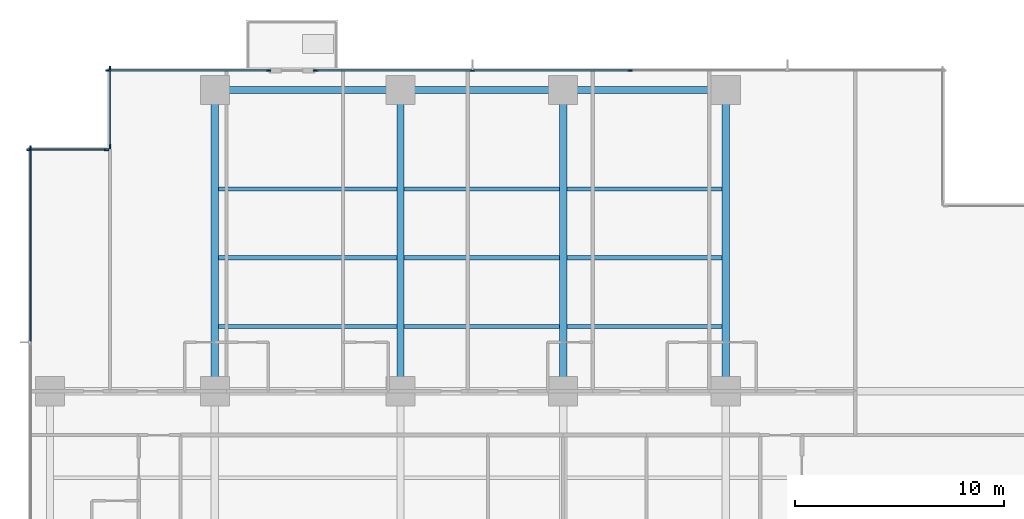
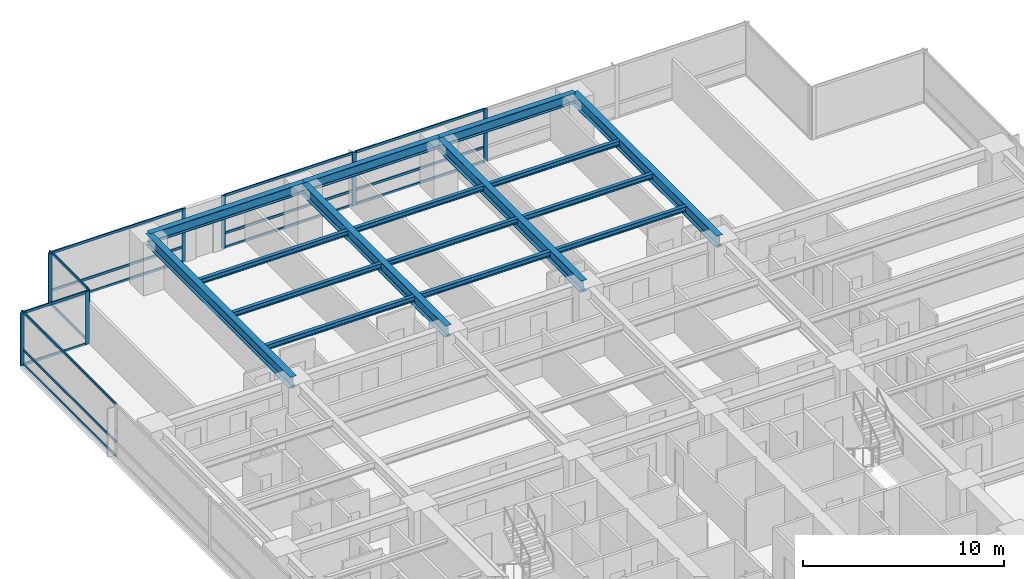
# One storey, part 4 of 16: 26 members, 16 beams, 5 elements without a shape of their own.
"""IFC4 building model written with IfcOpenShell, lengths in metres."""

from ifc_helpers import new_model, si_unit, direction, frame, origin, origin_2d, place, context, subcontext, project, spatial, rectangle, i_section, extrude, material, layer, layer_set, material_profile, profile_set, type_object, element, aggregate, save


model = new_model("IFC4")

# Units and contexts
model_context = context("Model", 3, precision=1e-05, world=origin(), true_north=direction((0.0, 1.0)))
body_context = subcontext(model_context, "Body", "Model", "MODEL_VIEW")
ifc_project = project(units=[si_unit("LENGTHUNIT", "METRE"), si_unit("AREAUNIT", "SQUARE_METRE"), si_unit("VOLUMEUNIT", "CUBIC_METRE"), si_unit("PLANEANGLEUNIT", "RADIAN"), si_unit("MASSUNIT", "GRAM", prefix="KILO")], contexts=[model_context])

# Site, building, storey
site_placement = place(None, origin())
site = spatial("IfcSite", under=ifc_project, at=site_placement, CompositionType="ELEMENT")
building_placement = place(site_placement, origin())
building = spatial("IfcBuilding", under=site, at=building_placement, Name="Qalmaran Belvedere Hotel", CompositionType="ELEMENT")
storey_placement = place(building_placement, frame((0.0, 0.0, 57.89990234375)))
storey = spatial("IfcBuildingStorey", under=building, at=storey_placement, Name="L14", CompositionType="ELEMENT", Elevation=57.89990234375)

# Beams
ifc_material_1 = material(Name="Steel S355JR", Category="steel")
ifc_material_profile_1 = material_profile(ifc_material_1, i_section(OverallWidth=0.202880859375, OverallDepth=0.302978515625, WebThickness=0.007568359375, FlangeThickness=0.01318359375, FilletRadius=0.012939453125, at=origin_2d()), Name="W310X60")
ifc_profile_set_1 = profile_set([ifc_material_profile_1], Name="Steel S355JR")
beam_type_1 = type_object("IfcBeamType", Name="BM-JST-W310X60", PredefinedType="JOIST", material=ifc_profile_set_1)
beam_1_placement = place(storey_placement, frame((20.4755859375, 36.10009765625, 3.068603515625), z_axis=(1.0, 0.0, 0.0), x_axis=(0.0, 1.0, 0.0)))
element("IfcBeam", 1, at=beam_1_placement, inside=storey, type_object=beam_type_1, Name="L14 North Floor Joist 042", PredefinedType="JOIST", context=body_context, shape_type="SweptSolid", body=[
    extrude(i_section(OverallWidth=0.202880859375, OverallDepth=0.302978515625, WebThickness=0.007568359375, FlangeThickness=0.01318359375, FilletRadius=0.012939453125, at=origin_2d()), origin(), (0.0, 0.0, 1.0), 8.548828125),
])
for number, where, z_axis, x_axis, name in (
    (2, (29.37548828125, 36.10009765625, 3.068603515625), (1.0, 0.0, 0.0), (0.0, 1.0, 0.0), "L14 North Floor Joist 043"),
    (3, (37.175537109375, 36.10009765625, 3.068603515625), (1.0, 0.0, 0.0), (0.0, 1.0, 0.0), "L14 North Floor Joist 044"),
):
    element("IfcBeam", number, at=place(storey_placement, frame(where, z_axis=z_axis, x_axis=x_axis)), inside=storey, type_object=beam_type_1, Name=name, PredefinedType="JOIST", context=body_context, shape_type="SweptSolid", body=[
        extrude(i_section(OverallWidth=0.202880859375, OverallDepth=0.302978515625, WebThickness=0.007568359375, FlangeThickness=0.01318359375, FilletRadius=0.012939453125, at=origin_2d()), origin(), (0.0, 0.0, 1.0), 7.448974609375),
    ])
beam_2_placement = place(storey_placement, frame((20.4755859375, 39.39990234375, 3.068603515625), z_axis=(1.0, 0.0, 0.0), x_axis=(0.0, 1.0, 0.0)))
element("IfcBeam", 4, at=beam_2_placement, inside=storey, type_object=beam_type_1, Name="L14 North Floor Joist 045", PredefinedType="JOIST", context=body_context, shape_type="SweptSolid", body=[
    extrude(i_section(OverallWidth=0.202880859375, OverallDepth=0.302978515625, WebThickness=0.007568359375, FlangeThickness=0.01318359375, FilletRadius=0.012939453125, at=origin_2d()), origin(), (0.0, 0.0, 1.0), 8.548828125),
])
for number, where, z_axis, x_axis, name in (
    (5, (29.37548828125, 39.39990234375, 3.068603515625), (1.0, 0.0, 0.0), (0.0, 1.0, 0.0), "L14 North Floor Joist 046"),
    (6, (37.175537109375, 39.39990234375, 3.068603515625), (1.0, 0.0, 0.0), (0.0, 1.0, 0.0), "L14 North Floor Joist 047"),
):
    element("IfcBeam", number, at=place(storey_placement, frame(where, z_axis=z_axis, x_axis=x_axis)), inside=storey, type_object=beam_type_1, Name=name, PredefinedType="JOIST", context=body_context, shape_type="SweptSolid", body=[
        extrude(i_section(OverallWidth=0.202880859375, OverallDepth=0.302978515625, WebThickness=0.007568359375, FlangeThickness=0.01318359375, FilletRadius=0.012939453125, at=origin_2d()), origin(), (0.0, 0.0, 1.0), 7.448974609375),
    ])
beam_3_placement = place(storey_placement, frame((20.4755859375, 42.699951171875, 3.068603515625), z_axis=(1.0, 0.0, 0.0), x_axis=(0.0, 1.0, 0.0)))
element("IfcBeam", 7, at=beam_3_placement, inside=storey, type_object=beam_type_1, Name="L14 North Floor Joist 048", PredefinedType="JOIST", context=body_context, shape_type="SweptSolid", body=[
    extrude(i_section(OverallWidth=0.202880859375, OverallDepth=0.302978515625, WebThickness=0.007568359375, FlangeThickness=0.01318359375, FilletRadius=0.012939453125, at=origin_2d()), origin(), (0.0, 0.0, 1.0), 8.548828125),
])
for number, where, z_axis, x_axis, name in (
    (8, (29.37548828125, 42.699951171875, 3.068603515625), (1.0, 0.0, 0.0), (0.0, 1.0, 0.0), "L14 North Floor Joist 049"),
    (9, (37.175537109375, 42.699951171875, 3.068603515625), (1.0, 0.0, 0.0), (0.0, 1.0, 0.0), "L14 North Floor Joist 050"),
):
    element("IfcBeam", number, at=place(storey_placement, frame(where, z_axis=z_axis, x_axis=x_axis)), inside=storey, type_object=beam_type_1, Name=name, PredefinedType="JOIST", context=body_context, shape_type="SweptSolid", body=[
        extrude(i_section(OverallWidth=0.202880859375, OverallDepth=0.302978515625, WebThickness=0.007568359375, FlangeThickness=0.01318359375, FilletRadius=0.012939453125, at=origin_2d()), origin(), (0.0, 0.0, 1.0), 7.448974609375),
    ])
ifc_material_profile_2 = material_profile(ifc_material_1, i_section(OverallWidth=0.326904296875, OverallDepth=0.6220703125, WebThickness=0.015380859375, FlangeThickness=0.0244140625, FilletRadius=0.02001953125, at=origin_2d()), Name="W610X195")
ifc_profile_set_2 = profile_set([ifc_material_profile_2], Name="Steel S355JR")
beam_type_2 = type_object("IfcBeamType", Name="BM-SP1-W610X195", PredefinedType="SPANDREL", material=ifc_profile_set_2)
beam_4_placement = place(storey_placement, frame((20.300048828125, 47.449951171875, 2.9091796875), z_axis=(1.0, 0.0, 0.0), x_axis=(0.0, 1.0, 0.0)))
element("IfcBeam", 10, at=beam_4_placement, inside=storey, type_object=beam_type_2, Name="L14 Perimeter Spandrel 05", PredefinedType="SPANDREL", context=body_context, shape_type="SweptSolid", body=[
    extrude(i_section(OverallWidth=0.326904296875, OverallDepth=0.6220703125, WebThickness=0.015380859375, FlangeThickness=0.0244140625, FilletRadius=0.02001953125, at=origin_2d()), origin(), (0.0, 0.0, 1.0), 8.89990234375),
])
for number, where, z_axis, x_axis, name in (
    (11, (29.199951171875, 47.449951171875, 2.9091796875), (1.0, 0.0, 0.0), (0.0, 1.0, 0.0), "L14 Perimeter Spandrel 06"),
    (12, (37.0, 47.449951171875, 2.9091796875), (1.0, 0.0, 0.0), (0.0, 1.0, 0.0), "L14 Perimeter Spandrel 07"),
):
    element("IfcBeam", number, at=place(storey_placement, frame(where, z_axis=z_axis, x_axis=x_axis)), inside=storey, type_object=beam_type_2, Name=name, PredefinedType="SPANDREL", context=body_context, shape_type="SweptSolid", body=[
        extrude(i_section(OverallWidth=0.326904296875, OverallDepth=0.6220703125, WebThickness=0.015380859375, FlangeThickness=0.0244140625, FilletRadius=0.02001953125, at=origin_2d()), origin(), (0.0, 0.0, 1.0), 7.800048828125),
    ])
ifc_material_profile_3 = material_profile(ifc_material_1, i_section(OverallWidth=0.35498046875, OverallDepth=0.695068359375, WebThickness=0.015380859375, FlangeThickness=0.02490234375, FilletRadius=0.02197265625, at=origin_2d()), Name="W690X217")
ifc_profile_set_3 = profile_set([ifc_material_profile_3], Name="Steel S355JR")
beam_type_3 = type_object("IfcBeamType", Name="BM-Z1-W690X217", PredefinedType="USERDEFINED", material=ifc_profile_set_3)
for number, where, z_axis, x_axis, name in (
    (13, (20.300048828125, 33.0, 2.87255859375), (0.0, 1.0, 0.0), (-1.0, 0.0, 0.0), "L14 North Bay Girder 15"),
    (14, (29.199951171875, 33.0, 2.87255859375), (0.0, 1.0, 0.0), (-1.0, 0.0, 0.0), "L14 North Bay Girder 17"),
    (15, (37.0, 33.0, 2.87255859375), (0.0, 1.0, 0.0), (-1.0, 0.0, 0.0), "L14 North Bay Girder 19"),
    (16, (44.800048828125, 33.0, 2.87255859375), (0.0, 1.0, 0.0), (-1.0, 0.0, 0.0), "L14 North Bay Girder 21"),
):
    element("IfcBeam", number, at=place(storey_placement, frame(where, z_axis=z_axis, x_axis=x_axis)), inside=storey, type_object=beam_type_3, Name=name, ObjectType="GIRDER", PredefinedType="USERDEFINED", context=body_context, shape_type="SweptSolid", body=[
        extrude(i_section(OverallWidth=0.35498046875, OverallDepth=0.695068359375, WebThickness=0.015380859375, FlangeThickness=0.02490234375, FilletRadius=0.02197265625, at=origin_2d()), origin(), (0.0, 0.0, 1.0), 14.449951171875),
    ])

# Curtain wall, members
ifc_material_2 = material(Name="Anodised Bronze Aluminium", Category="aluminium")
ifc_layer = layer(ifc_material_2, 0.2099609375, Name="Anodised Bronze Aluminium")
ifc_layer_set = layer_set([ifc_layer], Name="Anodised Bronze Aluminium")
curtain_wall_type = type_object("IfcCurtainWallType", Name="CW2-TOWER-LOWER", PredefinedType="NOTDEFINED", material=ifc_layer_set)
curtain_wall_1_placement = place(storey_placement, origin())
curtain_wall_1 = element("IfcCurtainWall", 17, at=curtain_wall_1_placement, inside=storey, type_object=curtain_wall_type, Name="L14 Curtain Wall CW2", PredefinedType="NOTDEFINED")
ifc_material_profile_4 = material_profile(ifc_material_2, rectangle(XDim=0.074951171875, YDim=0.219970703125, at=origin_2d()), Name="CWM75X220")
ifc_profile_set_4 = profile_set([ifc_material_profile_4], Name="Anodised Bronze Aluminium")
member_type_1 = type_object("IfcMemberType", Name="CWM-75X220", PredefinedType="MULLION", material=ifc_profile_set_4)
member_1_placement = place(storey_placement, frame((22.862548828125, 48.3798828125, 0.0), z_axis=(0.0, 0.0, 1.0), x_axis=(0.0, -1.0, 0.0)))
member_1 = element("IfcMember", 18, at=member_1_placement, type_object=member_type_1, Name="CW2 mullion 1", PredefinedType="MULLION", context=body_context, shape_type="SweptSolid", body=[
    extrude(rectangle(XDim=0.074951171875, YDim=0.219970703125, at=origin_2d()), origin(), (0.0, 0.0, 1.0), 3.22021484375),
])
member_2_placement = place(storey_placement, frame((15.1875, 48.3798828125, 0.0), z_axis=(0.0, 0.0, 1.0), x_axis=(0.0, -1.0, 0.0)))
member_2 = element("IfcMember", 19, at=member_2_placement, type_object=member_type_1, Name="CW2 mullion 2", PredefinedType="MULLION", context=body_context, shape_type="SweptSolid", body=[
    extrude(rectangle(XDim=0.074951171875, YDim=0.219970703125, at=origin_2d()), origin(), (0.0, 0.0, 1.0), 3.22021484375),
])

curtain_wall_2_placement = place(storey_placement, origin())
curtain_wall_2 = element("IfcCurtainWall", 20, at=curtain_wall_2_placement, inside=storey, type_object=curtain_wall_type, Name="L14 Curtain Wall CW2", PredefinedType="NOTDEFINED")
member_3_placement = place(storey_placement, frame((40.199951171875, 48.3798828125, 0.0), z_axis=(0.0, 0.0, 1.0), x_axis=(0.0, -1.0, 0.0)))
member_3 = element("IfcMember", 21, at=member_3_placement, type_object=member_type_1, Name="CW2 mullion 3", PredefinedType="MULLION", context=body_context, shape_type="SweptSolid", body=[
    extrude(rectangle(XDim=0.074951171875, YDim=0.219970703125, at=origin_2d()), origin(), (0.0, 0.0, 1.0), 3.22021484375),
])
member_4_placement = place(storey_placement, frame((32.64990234375, 48.3798828125, 0.0), z_axis=(0.0, 0.0, 1.0), x_axis=(0.0, -1.0, 0.0)))
member_4 = element("IfcMember", 22, at=member_4_placement, type_object=member_type_1, Name="CW2 mullion 4", PredefinedType="MULLION", context=body_context, shape_type="SweptSolid", body=[
    extrude(rectangle(XDim=0.074951171875, YDim=0.219970703125, at=origin_2d()), origin(), (0.0, 0.0, 1.0), 3.22021484375),
])
member_5_placement = place(storey_placement, frame((25.137451171875, 48.3798828125, 0.0), z_axis=(0.0, 0.0, 1.0), x_axis=(0.0, -1.0, 0.0)))
member_5 = element("IfcMember", 23, at=member_5_placement, type_object=member_type_1, Name="CW2 mullion 5", PredefinedType="MULLION", context=body_context, shape_type="SweptSolid", body=[
    extrude(rectangle(XDim=0.074951171875, YDim=0.219970703125, at=origin_2d()), origin(), (0.0, 0.0, 1.0), 3.22021484375),
])

curtain_wall_3_placement = place(storey_placement, origin())
curtain_wall_3 = element("IfcCurtainWall", 24, at=curtain_wall_3_placement, inside=storey, type_object=curtain_wall_type, Name="L14 Curtain Wall CW2", PredefinedType="NOTDEFINED")
member_6_placement = place(storey_placement, frame((15.27001953125, 48.46240234375, 0.0), z_axis=(0.0, 0.0, 1.0), x_axis=(1.0, 0.0, 0.0)))
member_6 = element("IfcMember", 25, at=member_6_placement, type_object=member_type_1, Name="CW2 mullion 1", PredefinedType="MULLION", context=body_context, shape_type="SweptSolid", body=[
    extrude(rectangle(XDim=0.074951171875, YDim=0.219970703125, at=origin_2d()), origin(), (0.0, 0.0, 1.0), 3.22021484375),
])
member_7_placement = place(storey_placement, frame((15.27001953125, 44.737548828125, 0.0), z_axis=(0.0, 0.0, 1.0), x_axis=(1.0, 0.0, 0.0)))
member_7 = element("IfcMember", 26, at=member_7_placement, type_object=member_type_1, Name="CW2 mullion 2", PredefinedType="MULLION", context=body_context, shape_type="SweptSolid", body=[
    extrude(rectangle(XDim=0.074951171875, YDim=0.219970703125, at=origin_2d()), origin(), (0.0, 0.0, 1.0), 3.22021484375),
])

curtain_wall_4_placement = place(storey_placement, origin())
curtain_wall_4 = element("IfcCurtainWall", 27, at=curtain_wall_4_placement, inside=storey, type_object=curtain_wall_type, Name="L14 Curtain Wall CW2", PredefinedType="NOTDEFINED")
member_8_placement = place(storey_placement, frame((15.112548828125, 44.580078125, 0.0), z_axis=(0.0, 0.0, 1.0), x_axis=(0.0, -1.0, 0.0)))
member_8 = element("IfcMember", 28, at=member_8_placement, type_object=member_type_1, Name="CW2 mullion 1", PredefinedType="MULLION", context=body_context, shape_type="SweptSolid", body=[
    extrude(rectangle(XDim=0.074951171875, YDim=0.219970703125, at=origin_2d()), origin(), (0.0, 0.0, 1.0), 3.22021484375),
])
member_9_placement = place(storey_placement, frame((11.387451171875, 44.580078125, 0.0), z_axis=(0.0, 0.0, 1.0), x_axis=(0.0, -1.0, 0.0)))
member_9 = element("IfcMember", 29, at=member_9_placement, type_object=member_type_1, Name="CW2 mullion 2", PredefinedType="MULLION", context=body_context, shape_type="SweptSolid", body=[
    extrude(rectangle(XDim=0.074951171875, YDim=0.219970703125, at=origin_2d()), origin(), (0.0, 0.0, 1.0), 3.22021484375),
])

# Curtain wall, member
curtain_wall_5_placement = place(storey_placement, origin())
curtain_wall_5 = element("IfcCurtainWall", 30, at=curtain_wall_5_placement, inside=storey, type_object=curtain_wall_type, Name="L14 Curtain Wall CW2", PredefinedType="NOTDEFINED")
member_10_placement = place(storey_placement, frame((11.469970703125, 44.66259765625, 0.0), z_axis=(0.0, 0.0, 1.0), x_axis=(1.0, 0.0, 0.0)))
member_10 = element("IfcMember", 31, at=member_10_placement, type_object=member_type_1, Name="CW2 mullion 1", PredefinedType="MULLION", context=body_context, shape_type="SweptSolid", body=[
    extrude(rectangle(XDim=0.074951171875, YDim=0.219970703125, at=origin_2d()), origin(), (0.0, 0.0, 1.0), 3.22021484375),
])

# Member
ifc_material_profile_5 = material_profile(ifc_material_2, rectangle(XDim=0.070068359375, YDim=0.14990234375, at=origin_2d()), Name="CWT70X150")
ifc_profile_set_5 = profile_set([ifc_material_profile_5], Name="Anodised Bronze Aluminium")
member_type_2 = type_object("IfcMemberType", Name="CWT-70X150", PredefinedType="USERDEFINED", material=ifc_profile_set_5)
member_11_placement = place(storey_placement, frame((22.824951171875, 48.3798828125, 0.03515625), z_axis=(-1.0, 0.0, 0.0), x_axis=(0.0, -1.0, 0.0)))
member_11 = element("IfcMember", 32, at=member_11_placement, type_object=member_type_2, Name="CW2 transom 1.1", ObjectType="TRANSOM", PredefinedType="USERDEFINED", context=body_context, shape_type="SweptSolid", body=[
    extrude(rectangle(XDim=0.070068359375, YDim=0.14990234375, at=origin_2d()), origin(), (0.0, 0.0, 1.0), 7.599853515625),
])

member_12_placement = place(storey_placement, frame((22.824951171875, 48.3798828125, 0.901611328125), z_axis=(-1.0, 0.0, 0.0), x_axis=(0.0, -1.0, 0.0)))
member_12 = element("IfcMember", 33, at=member_12_placement, type_object=member_type_2, Name="CW2 transom 1.2", ObjectType="TRANSOM", PredefinedType="USERDEFINED", context=body_context, shape_type="SweptSolid", body=[
    extrude(rectangle(XDim=0.070068359375, YDim=0.14990234375, at=origin_2d()), origin(), (0.0, 0.0, 1.0), 7.599853515625),
])

member_13_placement = place(storey_placement, frame((22.824951171875, 48.3798828125, 3.18505859375), z_axis=(-1.0, 0.0, 0.0), x_axis=(0.0, -1.0, 0.0)))
member_13 = element("IfcMember", 34, at=member_13_placement, type_object=member_type_2, Name="CW2 transom 1.3", ObjectType="TRANSOM", PredefinedType="USERDEFINED", context=body_context, shape_type="SweptSolid", body=[
    extrude(rectangle(XDim=0.070068359375, YDim=0.14990234375, at=origin_2d()), origin(), (0.0, 0.0, 1.0), 7.599853515625),
])

aggregate(curtain_wall_1, [member_1, member_2, member_11, member_12, member_13])

member_14_placement = place(storey_placement, frame((40.16259765625, 48.3798828125, 0.03515625), z_axis=(-1.0, 0.0, 0.0), x_axis=(0.0, -1.0, 0.0)))
member_14 = element("IfcMember", 35, at=member_14_placement, type_object=member_type_2, Name="CW2 transom 3.1", ObjectType="TRANSOM", PredefinedType="USERDEFINED", context=body_context, shape_type="SweptSolid", body=[
    extrude(rectangle(XDim=0.070068359375, YDim=0.14990234375, at=origin_2d()), origin(), (0.0, 0.0, 1.0), 7.47509765625),
])

member_15_placement = place(storey_placement, frame((40.16259765625, 48.3798828125, 0.901611328125), z_axis=(-1.0, 0.0, 0.0), x_axis=(0.0, -1.0, 0.0)))
member_15 = element("IfcMember", 36, at=member_15_placement, type_object=member_type_2, Name="CW2 transom 3.2", ObjectType="TRANSOM", PredefinedType="USERDEFINED", context=body_context, shape_type="SweptSolid", body=[
    extrude(rectangle(XDim=0.070068359375, YDim=0.14990234375, at=origin_2d()), origin(), (0.0, 0.0, 1.0), 7.47509765625),
])

member_16_placement = place(storey_placement, frame((40.16259765625, 48.3798828125, 3.18505859375), z_axis=(-1.0, 0.0, 0.0), x_axis=(0.0, -1.0, 0.0)))
member_16 = element("IfcMember", 37, at=member_16_placement, type_object=member_type_2, Name="CW2 transom 3.3", ObjectType="TRANSOM", PredefinedType="USERDEFINED", context=body_context, shape_type="SweptSolid", body=[
    extrude(rectangle(XDim=0.070068359375, YDim=0.14990234375, at=origin_2d()), origin(), (0.0, 0.0, 1.0), 7.47509765625),
])

member_17_placement = place(storey_placement, frame((32.612548828125, 48.3798828125, 0.03515625), z_axis=(-1.0, 0.0, 0.0), x_axis=(0.0, -1.0, 0.0)))
member_17 = element("IfcMember", 38, at=member_17_placement, type_object=member_type_2, Name="CW2 transom 4.1", ObjectType="TRANSOM", PredefinedType="USERDEFINED", context=body_context, shape_type="SweptSolid", body=[
    extrude(rectangle(XDim=0.070068359375, YDim=0.14990234375, at=origin_2d()), origin(), (0.0, 0.0, 1.0), 7.4375),
])

member_18_placement = place(storey_placement, frame((32.612548828125, 48.3798828125, 0.901611328125), z_axis=(-1.0, 0.0, 0.0), x_axis=(0.0, -1.0, 0.0)))
member_18 = element("IfcMember", 39, at=member_18_placement, type_object=member_type_2, Name="CW2 transom 4.2", ObjectType="TRANSOM", PredefinedType="USERDEFINED", context=body_context, shape_type="SweptSolid", body=[
    extrude(rectangle(XDim=0.070068359375, YDim=0.14990234375, at=origin_2d()), origin(), (0.0, 0.0, 1.0), 7.4375),
])

member_19_placement = place(storey_placement, frame((32.612548828125, 48.3798828125, 3.18505859375), z_axis=(-1.0, 0.0, 0.0), x_axis=(0.0, -1.0, 0.0)))
member_19 = element("IfcMember", 40, at=member_19_placement, type_object=member_type_2, Name="CW2 transom 4.3", ObjectType="TRANSOM", PredefinedType="USERDEFINED", context=body_context, shape_type="SweptSolid", body=[
    extrude(rectangle(XDim=0.070068359375, YDim=0.14990234375, at=origin_2d()), origin(), (0.0, 0.0, 1.0), 7.4375),
])

aggregate(curtain_wall_2, [member_3, member_4, member_5, member_14, member_15, member_16, member_17, member_18, member_19])

member_20_placement = place(storey_placement, frame((15.27001953125, 48.425048828125, 0.03515625), z_axis=(0.0, -1.0, 0.0), x_axis=(1.0, 0.0, 0.0)))
member_20 = element("IfcMember", 41, at=member_20_placement, type_object=member_type_2, Name="CW2 transom 1.1", ObjectType="TRANSOM", PredefinedType="USERDEFINED", context=body_context, shape_type="SweptSolid", body=[
    extrude(rectangle(XDim=0.070068359375, YDim=0.14990234375, at=origin_2d()), origin(), (0.0, 0.0, 1.0), 3.650146484375),
])

member_21_placement = place(storey_placement, frame((15.27001953125, 48.425048828125, 3.18505859375), z_axis=(0.0, -1.0, 0.0), x_axis=(1.0, 0.0, 0.0)))
member_21 = element("IfcMember", 42, at=member_21_placement, type_object=member_type_2, Name="CW2 transom 1.2", ObjectType="TRANSOM", PredefinedType="USERDEFINED", context=body_context, shape_type="SweptSolid", body=[
    extrude(rectangle(XDim=0.070068359375, YDim=0.14990234375, at=origin_2d()), origin(), (0.0, 0.0, 1.0), 3.650146484375),
])

aggregate(curtain_wall_3, [member_6, member_7, member_20, member_21])

member_22_placement = place(storey_placement, frame((15.074951171875, 44.580078125, 0.03515625), z_axis=(-1.0, 0.0, 0.0), x_axis=(0.0, -1.0, 0.0)))
member_22 = element("IfcMember", 43, at=member_22_placement, type_object=member_type_2, Name="CW2 transom 1.1", ObjectType="TRANSOM", PredefinedType="USERDEFINED", context=body_context, shape_type="SweptSolid", body=[
    extrude(rectangle(XDim=0.070068359375, YDim=0.14990234375, at=origin_2d()), origin(), (0.0, 0.0, 1.0), 3.64990234375),
])

member_23_placement = place(storey_placement, frame((15.074951171875, 44.580078125, 3.18505859375), z_axis=(-1.0, 0.0, 0.0), x_axis=(0.0, -1.0, 0.0)))
member_23 = element("IfcMember", 44, at=member_23_placement, type_object=member_type_2, Name="CW2 transom 1.2", ObjectType="TRANSOM", PredefinedType="USERDEFINED", context=body_context, shape_type="SweptSolid", body=[
    extrude(rectangle(XDim=0.070068359375, YDim=0.14990234375, at=origin_2d()), origin(), (0.0, 0.0, 1.0), 3.64990234375),
])

aggregate(curtain_wall_4, [member_8, member_9, member_22, member_23])

member_24_placement = place(storey_placement, frame((11.469970703125, 44.625, 0.03515625), z_axis=(0.0, -1.0, 0.0), x_axis=(1.0, 0.0, 0.0)))
member_24 = element("IfcMember", 45, at=member_24_placement, type_object=member_type_2, Name="CW2 transom 1.1", ObjectType="TRANSOM", PredefinedType="USERDEFINED", context=body_context, shape_type="SweptSolid", body=[
    extrude(rectangle(XDim=0.070068359375, YDim=0.14990234375, at=origin_2d()), origin(), (0.0, 0.0, 1.0), 9.237548828125),
])

member_25_placement = place(storey_placement, frame((11.469970703125, 44.625, 0.901611328125), z_axis=(0.0, -1.0, 0.0), x_axis=(1.0, 0.0, 0.0)))
member_25 = element("IfcMember", 46, at=member_25_placement, type_object=member_type_2, Name="CW2 transom 1.2", ObjectType="TRANSOM", PredefinedType="USERDEFINED", context=body_context, shape_type="SweptSolid", body=[
    extrude(rectangle(XDim=0.070068359375, YDim=0.14990234375, at=origin_2d()), origin(), (0.0, 0.0, 1.0), 9.237548828125),
])

member_26_placement = place(storey_placement, frame((11.469970703125, 44.625, 3.18505859375), z_axis=(0.0, -1.0, 0.0), x_axis=(1.0, 0.0, 0.0)))
member_26 = element("IfcMember", 47, at=member_26_placement, type_object=member_type_2, Name="CW2 transom 1.3", ObjectType="TRANSOM", PredefinedType="USERDEFINED", context=body_context, shape_type="SweptSolid", body=[
    extrude(rectangle(XDim=0.070068359375, YDim=0.14990234375, at=origin_2d()), origin(), (0.0, 0.0, 1.0), 9.237548828125),
])

aggregate(curtain_wall_5, [member_10, member_24, member_25, member_26])

save(model, "model.ifc")
